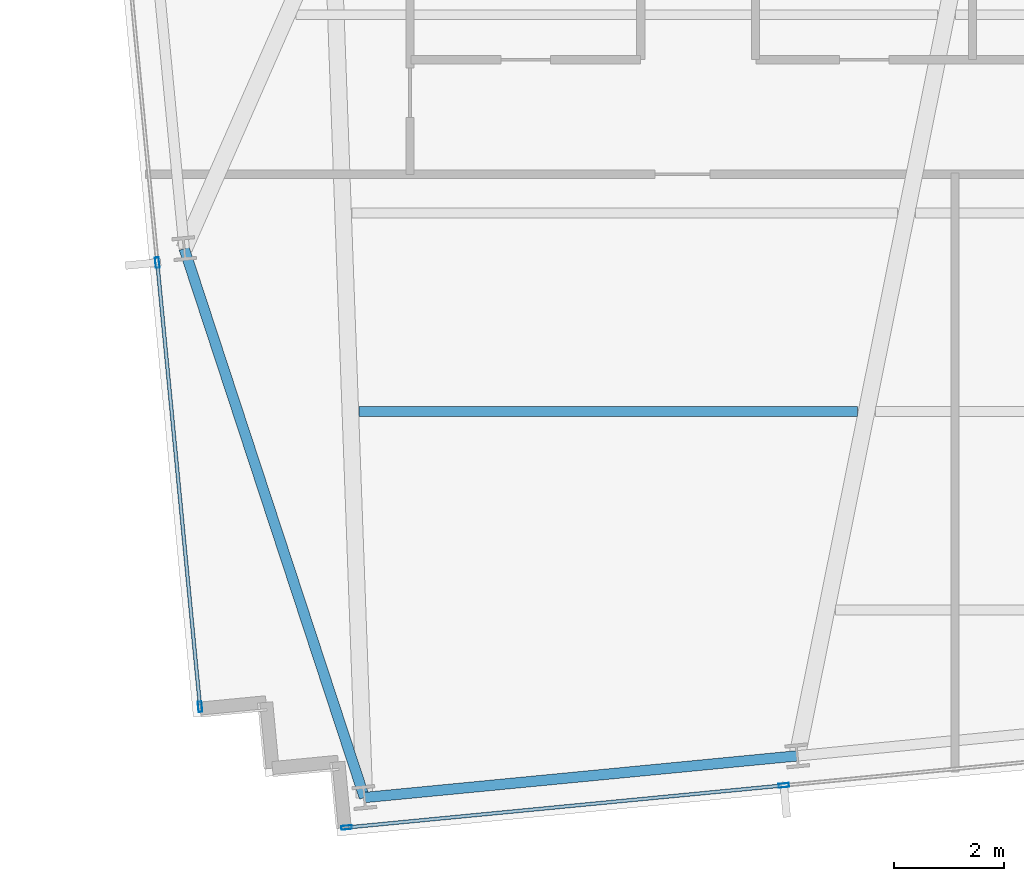
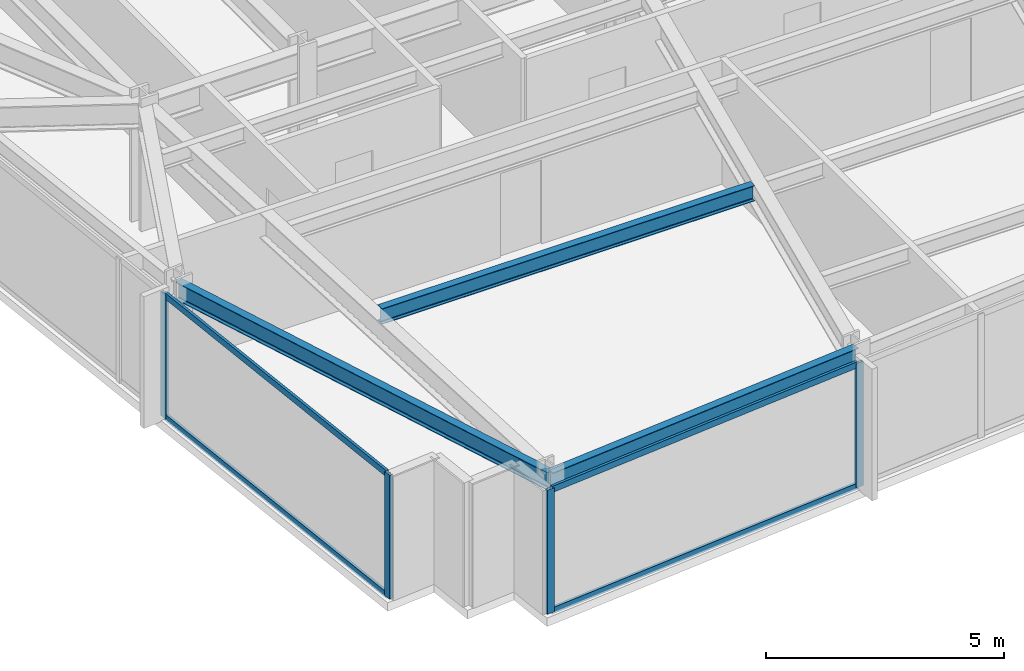
# One storey, part 2 of 33: 8 members, 3 beams, 2 elements without a shape of their own.
"""IFC4 building model written with IfcOpenShell, lengths in metres."""

import ifcopenshell
import ifcopenshell.guid

model = None  # the IFC model being written
_history = None  # IfcOwnerHistory: only IFC2X3 demands one
_inside = {}  # id of a spatial element -> (the spatial element, [elements in it])
_under = {}  # id of a project, library or spatial element -> (it, [spatial elements below it])
_declared = {}  # id of a project -> (the project, [libraries it declares])
_typed = {}  # id of a type object -> (the type object, [elements of that type])
_made_of = {}  # id of a material, layer set ... -> (it, [elements and type objects made of it])


def new_model(schema):
    """Start an empty IFC model of exactly this schema.

    Asked for "IFC4X3", IfcOpenShell would pick the latest addendum, in which some entities
    have other attributes; the version numbers below select the first issue.
    IFC2X3 requires an IfcOwnerHistory on every rooted entity: one is made here for all.
    """
    global model, _history
    if schema == "IFC4X3":
        model = ifcopenshell.file(schema_version=(4, 3, 0, 0))
    else:
        model = ifcopenshell.file(schema=schema)
    _inside.clear()
    _under.clear()
    _declared.clear()
    _typed.clear()
    _made_of.clear()
    _history = None
    if model.schema == "IFC2X3":
        org = make("IfcOrganization", Name="unknown")
        user = make(
            "IfcPersonAndOrganization",
            ThePerson=make("IfcPerson", FamilyName="unknown"),
            TheOrganization=org,
        )
        app = make(
            "IfcApplication",
            ApplicationDeveloper=org,
            Version="unknown",
            ApplicationFullName="unknown",
            ApplicationIdentifier="unknown",
        )
        _history = make(
            "IfcOwnerHistory",
            OwningUser=user,
            OwningApplication=app,
            ChangeAction="ADDED",
            CreationDate=0,
        )
    return model


def make(cls, **values):
    """One entity of the class cls with the attributes given. An attribute that is None is left unset."""
    return model.create_entity(
        cls, **{name: value for name, value in values.items() if value is not None}
    )


def rooted(cls, **values):
    """An entity with a GlobalId (a new one), such as an element, a storey or a relation."""
    return make(cls, GlobalId=ifcopenshell.guid.new(), OwnerHistory=_history, **values)


def si_unit(unit_type, name, prefix=None):
    """IfcSIUnit, for example si_unit("LENGTHUNIT", "METRE", prefix="MILLI")."""
    return make("IfcSIUnit", UnitType=unit_type, Prefix=prefix, Name=name)


def assignment(units):
    """IfcUnitAssignment: the units of a project."""
    return None if units is None else make("IfcUnitAssignment", Units=units)


def point(xyz):
    """IfcCartesianPoint."""
    return None if xyz is None else make("IfcCartesianPoint", Coordinates=xyz)


def direction(xyz):
    """IfcDirection."""
    return None if xyz is None else make("IfcDirection", DirectionRatios=xyz)


def frame(location, z_axis=None, x_axis=None):
    """IfcAxis2Placement3D, a coordinate frame: its origin and axes. An axis left out is left unset."""
    return make(
        "IfcAxis2Placement3D",
        Location=point(location),
        Axis=direction(z_axis),
        RefDirection=direction(x_axis),
    )


def frame_2d(location, x_axis=None):
    """IfcAxis2Placement2D, a coordinate frame in the plane: its origin and x axis."""
    return make(
        "IfcAxis2Placement2D", Location=point(location), RefDirection=direction(x_axis)
    )


def origin():
    """The frame at (0, 0, 0) with its axes left unset."""
    return frame((0.0, 0.0, 0.0))


def origin_2d():
    """The frame at (0, 0) in the plane with its x axis left unset."""
    return frame_2d((0.0, 0.0))


def place(relative_to, where):
    """IfcLocalPlacement: puts the frame where relative to a parent placement (None: the world)."""
    return make(
        "IfcLocalPlacement", PlacementRelTo=relative_to, RelativePlacement=where
    )


def context(
    kind, dimensions, precision=None, world=None, true_north=None, identifier=None
):
    """IfcGeometricRepresentationContext, for example the 3D "Model" context."""
    return make(
        "IfcGeometricRepresentationContext",
        ContextIdentifier=identifier,
        ContextType=kind,
        CoordinateSpaceDimension=dimensions,
        Precision=precision,
        WorldCoordinateSystem=world,
        TrueNorth=true_north,
    )


def subcontext(parent, identifier, kind, view, scale=None):
    """IfcGeometricRepresentationSubContext, for example "Body" below "Model"."""
    return make(
        "IfcGeometricRepresentationSubContext",
        ContextIdentifier=identifier,
        ContextType=kind,
        ParentContext=parent,
        TargetScale=scale,
        TargetView=view,
    )


def project(units=None, contexts=None):
    """IfcProject with its units and contexts."""
    return rooted(
        "IfcProject",
        Name="project",
        RepresentationContexts=contexts,
        UnitsInContext=assignment(units),
    )


def spatial(cls, under=None, at=None, **own):
    """A site, building, storey or space (cls), placed at a placement, below another one or the project."""
    s = rooted(cls, ObjectPlacement=at, **own)
    if under is not None:
        _under.setdefault(under.id(), (under, []))[1].append(s)
    return s


def profile(cls, at=None, kind="AREA", **sizes):
    """A parametric profile (cls). Its sizes go by their IFC names, for example OverallWidth=200.0."""
    return make(cls, ProfileType=kind, Position=at, **sizes)


def hollow_rectangle(**sizes):
    """IfcRectangleHollowProfileDef."""
    return profile("IfcRectangleHollowProfileDef", **sizes)


def i_section(**sizes):
    """IfcIShapeProfileDef."""
    return profile("IfcIShapeProfileDef", **sizes)


def extrude(swept, where, along, depth):
    """IfcExtrudedAreaSolid: the profile swept, set in the frame where, extruded along a direction by depth."""
    return make(
        "IfcExtrudedAreaSolid",
        SweptArea=swept,
        Position=where,
        ExtrudedDirection=direction(along),
        Depth=depth,
    )


def shape(context_of_items, identifier, shape_type, items):
    """IfcShapeRepresentation: the items that make up one representation, for example the "Body"."""
    return make(
        "IfcShapeRepresentation",
        ContextOfItems=context_of_items,
        RepresentationIdentifier=identifier,
        RepresentationType=shape_type,
        Items=items,
    )


def material(Name=None, Category=None):
    """IfcMaterial."""
    return make("IfcMaterial", Name=Name, Category=Category)


def material_profile(
    of_material, cross_section, Name=None, Category=None, Priority=None
):
    """IfcMaterialProfile: a cross section and its material."""
    return make(
        "IfcMaterialProfile",
        Name=Name,
        Material=of_material,
        Profile=cross_section,
        Priority=Priority,
        Category=Category,
    )


def profile_set(profiles, Name=None, composite=None):
    """IfcMaterialProfileSet."""
    return make(
        "IfcMaterialProfileSet",
        Name=Name,
        MaterialProfiles=profiles,
        CompositeProfile=composite,
    )


def made_of(thing, what):
    """Note that an element or type object is made of a material, layer set ...; save() writes the relation."""
    if what is not None:
        _made_of.setdefault(what.id(), (what, []))[1].append(thing)
    return thing


def type_object(cls, material=None, **own):
    """A type object (cls), such as IfcWallType, which elements share."""
    return made_of(rooted(cls, **own), material)


def element(
    cls,
    number,
    at=None,
    inside=None,
    cuts=None,
    type_object=None,
    material=None,
    context=None,
    identifier="Body",
    shape_type=None,
    held_by="IfcProductDefinitionShape",
    body=None,
    shapes=None,
    **own,
):
    """One element of the class cls, such as IfcWall. Its Tag is "e" and its number.

    at: its placement. inside: the storey or other place that contains it. cuts: it is an
    opening in that element (IfcRelVoidsElement). A single representation is given by context,
    identifier, shape_type and body (its items); several are given by shapes. held_by: the class
    of the entity that holds the representations. save() writes the other relations.
    """
    e = rooted(cls, Tag="e%d" % number, ObjectPlacement=at, **own)
    if body is not None:
        shapes = [shape(context, identifier, shape_type, body)]
    if shapes is not None:
        e.Representation = make(held_by, Representations=shapes)
    if inside is not None:
        _inside.setdefault(inside.id(), (inside, []))[1].append(e)
    if cuts is not None:
        rooted(
            "IfcRelVoidsElement", RelatingBuildingElement=cuts, RelatedOpeningElement=e
        )
    if type_object is not None:
        _typed.setdefault(type_object.id(), (type_object, []))[1].append(e)
    return made_of(e, material)


def aggregate(whole, parts):
    """IfcRelAggregates: a whole, such as a stair, and the parts it consists of."""
    return rooted("IfcRelAggregates", RelatingObject=whole, RelatedObjects=parts)


def save(model, path):
    """Write the relations noted so far, then the file.

    IfcRelAggregates (storeys below a building ...), IfcRelContainedInSpatialStructure (elements
    in a storey), IfcRelDefinesByType, IfcRelAssociatesMaterial and IfcRelDeclares: one each for
    every whole, place, type object, material and project.
    """
    for whole, parts in _under.values():
        aggregate(whole, parts)
    for where, things in _inside.values():
        rooted(
            "IfcRelContainedInSpatialStructure",
            RelatedElements=things,
            RelatingStructure=where,
        )
    for kind, things in _typed.values():
        rooted("IfcRelDefinesByType", RelatedObjects=things, RelatingType=kind)
    for what, things in _made_of.values():
        rooted("IfcRelAssociatesMaterial", RelatedObjects=things, RelatingMaterial=what)
    for by, libraries in _declared.values():
        rooted("IfcRelDeclares", RelatingContext=by, RelatedDefinitions=libraries)
    model.write(path)


model = new_model("IFC4")

# Units and contexts
model_context = context("Model", 3, precision=1e-05, world=origin(), true_north=direction((0.0, 1.0)))
body_context = subcontext(model_context, "Body", "Model", "MODEL_VIEW")
ifc_project = project(units=[si_unit("LENGTHUNIT", "METRE"), si_unit("AREAUNIT", "SQUARE_METRE"), si_unit("VOLUMEUNIT", "CUBIC_METRE"), si_unit("PLANEANGLEUNIT", "RADIAN"), si_unit("MASSUNIT", "GRAM", prefix="KILO")], contexts=[model_context])

# Site, building, storey
site_placement = place(None, origin())
site = spatial("IfcSite", under=ifc_project, at=site_placement, CompositionType="ELEMENT")
building_placement = place(site_placement, origin())
building = spatial("IfcBuilding", under=site, at=building_placement, Name="Yelkora Congress Tower", CompositionType="ELEMENT")
storey_placement = place(building_placement, frame((0.0, 0.0, 123.699951171875)))
storey = spatial("IfcBuildingStorey", under=building, at=storey_placement, Name="L33", CompositionType="ELEMENT", Elevation=123.699951171875)

# Beams
ifc_material_1 = material(Name="Steel S355J2", Category="steel")
ifc_material_profile_1 = material_profile(ifc_material_1, i_section(OverallWidth=0.179931640625, OverallDepth=0.39990234375, WebThickness=0.008544921875, FlangeThickness=0.013427734375, FilletRadius=0.02099609375, at=origin_2d()), Name="IPE 400")
ifc_profile_set_1 = profile_set([ifc_material_profile_1], Name="Steel S355J2")
beam_type_1 = type_object("IfcBeamType", Name="BM-JOIST-IPE400", PredefinedType="JOIST", material=ifc_profile_set_1)
beam_1_placement = place(storey_placement, frame((19.6904296875, 16.144287109375, 2.97998046875), z_axis=(1.0, 0.0, 0.0), x_axis=(0.0, 1.0, 0.0)))
element("IfcBeam", 1, at=beam_1_placement, inside=storey, type_object=beam_type_1, Name="L33 Composite Floor Joist 4", PredefinedType="JOIST", context=body_context, shape_type="SweptSolid", body=[
    extrude(i_section(OverallWidth=0.179931640625, OverallDepth=0.39990234375, WebThickness=0.008544921875, FlangeThickness=0.013427734375, FilletRadius=0.02099609375, at=origin_2d()), origin(), (0.0, 0.0, 1.0), 9.0439453125),
])
ifc_material_profile_2 = material_profile(ifc_material_1, i_section(OverallWidth=0.18994140625, OverallDepth=0.449951171875, WebThickness=0.009521484375, FlangeThickness=0.0146484375, FilletRadius=0.02099609375, at=origin_2d()), Name="IPE 450")
ifc_profile_set_2 = profile_set([ifc_material_profile_2], Name="Steel S355J2")
beam_type_2 = type_object("IfcBeamType", Name="BM-SPAN-IPE450", PredefinedType="SPANDREL", material=ifc_profile_set_2)
beam_2_placement = place(storey_placement, frame((16.5166015625, 19.101806640625, 2.955078125), z_axis=(0.311940628701, -0.95010159676, 0.0), x_axis=(0.95010159676, 0.311940628701, 0.0)))
element("IfcBeam", 2, at=beam_2_placement, inside=storey, type_object=beam_type_2, Name="L33 Perimeter Beam 2", PredefinedType="SPANDREL", context=body_context, shape_type="SweptSolid", body=[
    extrude(i_section(OverallWidth=0.18994140625, OverallDepth=0.449951171875, WebThickness=0.009521484375, FlangeThickness=0.0146484375, FilletRadius=0.02099609375, at=origin_2d()), origin(), (0.0, 0.0, 1.0), 10.48046875),
])
beam_3_placement = place(storey_placement, frame((19.785888671875, 9.144287109375, 2.955078125), z_axis=(0.995395860104, 0.095849265454, 0.0), x_axis=(-0.095849265454, 0.995395860104, 0.0)))
element("IfcBeam", 3, at=beam_3_placement, inside=storey, type_object=beam_type_2, Name="L33 Perimeter Beam 3", PredefinedType="SPANDREL", context=body_context, shape_type="SweptSolid", body=[
    extrude(i_section(OverallWidth=0.18994140625, OverallDepth=0.449951171875, WebThickness=0.009521484375, FlangeThickness=0.0146484375, FilletRadius=0.02099609375, at=origin_2d()), origin(), (0.0, 0.0, 1.0), 7.885986328125),
])

# Curtain wall, members
ifc_material_2 = material(Name="Anodised aluminium and insulated glass", Category="aluminium")
curtain_wall_type = type_object("IfcCurtainWallType", Name="CW-SYS-B2", PredefinedType="NOTDEFINED", material=ifc_material_2)
curtain_wall_1_placement = place(storey_placement, origin())
curtain_wall_1 = element("IfcCurtainWall", 4, at=curtain_wall_1_placement, inside=storey, type_object=curtain_wall_type, Name="L33 Unitised Curtain Wall 5", PredefinedType="NOTDEFINED")
ifc_material_3 = material(Name="Anodised aluminium 6063-T6", Category="aluminium")
ifc_material_profile_3 = material_profile(ifc_material_3, hollow_rectangle(XDim=0.070068359375, YDim=0.18994140625, WallThickness=0.00390625, at=origin_2d()), Name="ALU 70x190x4")
ifc_profile_set_3 = profile_set([ifc_material_profile_3], Name="Anodised aluminium 6063-T6")
member_type_1 = type_object("IfcMemberType", Name="MEM-ML-B2", PredefinedType="MULLION", material=ifc_profile_set_3)
member_1_placement = place(storey_placement, frame((16.804443359375, 10.791259765625, 0.0), z_axis=(0.0, 0.0, 1.0), x_axis=(-0.995396507508, -0.095842541913, 0.0)))
member_1 = element("IfcMember", 5, at=member_1_placement, type_object=member_type_1, Name="CW-B2 mullion 1", PredefinedType="MULLION", context=body_context, shape_type="SweptSolid", body=[
    extrude(hollow_rectangle(XDim=0.070068359375, YDim=0.18994140625, WallThickness=0.00390625, at=origin_2d()), origin(), (0.0, 0.0, 1.0), 3.179931640625),
])
member_2_placement = place(storey_placement, frame((16.028564453125, 18.848876953125, 0.0), z_axis=(0.0, 0.0, 1.0), x_axis=(-0.995396507508, -0.095842541913, 0.0)))
member_2 = element("IfcMember", 6, at=member_2_placement, type_object=member_type_1, Name="CW-B2 mullion 2", PredefinedType="MULLION", context=body_context, shape_type="SweptSolid", body=[
    extrude(hollow_rectangle(XDim=0.070068359375, YDim=0.18994140625, WallThickness=0.00390625, at=origin_2d()), origin(), (0.0, 0.0, 1.0), 3.179931640625),
])

curtain_wall_2_placement = place(storey_placement, origin())
curtain_wall_2 = element("IfcCurtainWall", 7, at=curtain_wall_2_placement, inside=storey, type_object=curtain_wall_type, Name="L33 Unitised Curtain Wall 20", PredefinedType="NOTDEFINED")
member_3_placement = place(storey_placement, frame((27.392822265625, 9.364501953125, 0.0), z_axis=(0.0, 0.0, 1.0), x_axis=(0.095844345816, -0.995396333816, 0.0)))
member_3 = element("IfcMember", 8, at=member_3_placement, type_object=member_type_1, Name="CW-B2 mullion 7", PredefinedType="MULLION", context=body_context, shape_type="SweptSolid", body=[
    extrude(hollow_rectangle(XDim=0.070068359375, YDim=0.18994140625, WallThickness=0.00390625, at=origin_2d()), origin(), (0.0, 0.0, 1.0), 3.179931640625),
])
member_4_placement = place(storey_placement, frame((19.46142578125, 8.600830078125, 0.0), z_axis=(0.0, 0.0, 1.0), x_axis=(0.095844345816, -0.995396333816, 0.0)))
member_4 = element("IfcMember", 9, at=member_4_placement, type_object=member_type_1, Name="CW-B2 mullion 8", PredefinedType="MULLION", context=body_context, shape_type="SweptSolid", body=[
    extrude(hollow_rectangle(XDim=0.070068359375, YDim=0.18994140625, WallThickness=0.00390625, at=origin_2d()), origin(), (0.0, 0.0, 1.0), 3.179931640625),
])

# Member
ifc_material_profile_4 = material_profile(ifc_material_3, hollow_rectangle(XDim=0.06494140625, YDim=0.159912109375, WallThickness=0.00390625, at=origin_2d()), Name="ALU 65x160x4")
ifc_profile_set_4 = profile_set([ifc_material_profile_4], Name="Anodised aluminium 6063-T6")
member_type_2 = type_object("IfcMemberType", Name="MEM-TR-B2", PredefinedType="USERDEFINED", material=ifc_profile_set_4)
member_5_placement = place(storey_placement, frame((16.801025390625, 10.826171875, 0.032470703125), z_axis=(-0.095861385662, 0.995394692943, 0.0), x_axis=(-0.995394692943, -0.095861385662, 0.0)))
member_5 = element("IfcMember", 10, at=member_5_placement, type_object=member_type_2, Name="CW-B2 transom 1.1", ObjectType="TRANSOM", PredefinedType="USERDEFINED", context=body_context, shape_type="SweptSolid", body=[
    extrude(hollow_rectangle(XDim=0.06494140625, YDim=0.159912109375, WallThickness=0.00390625, at=origin_2d()), origin(), (0.0, 0.0, 1.0), 8.02490234375),
])

member_6_placement = place(storey_placement, frame((16.801025390625, 10.826171875, 3.1474609375), z_axis=(-0.095861385662, 0.995394692943, 0.0), x_axis=(-0.995394692943, -0.095861385662, 0.0)))
member_6 = element("IfcMember", 11, at=member_6_placement, type_object=member_type_2, Name="CW-B2 transom 1.2", ObjectType="TRANSOM", PredefinedType="USERDEFINED", context=body_context, shape_type="SweptSolid", body=[
    extrude(hollow_rectangle(XDim=0.06494140625, YDim=0.159912109375, WallThickness=0.00390625, at=origin_2d()), origin(), (0.0, 0.0, 1.0), 8.02490234375),
])

aggregate(curtain_wall_1, [member_1, member_2, member_5, member_6])

member_7_placement = place(storey_placement, frame((27.35791015625, 9.361083984375, 0.032470703125), z_axis=(-0.995397978421, -0.095827264157, 0.0), x_axis=(0.095827264157, -0.995397978421, 0.0)))
member_7 = element("IfcMember", 12, at=member_7_placement, type_object=member_type_2, Name="CW-B2 transom 7.1", ObjectType="TRANSOM", PredefinedType="USERDEFINED", context=body_context, shape_type="SweptSolid", body=[
    extrude(hollow_rectangle(XDim=0.06494140625, YDim=0.159912109375, WallThickness=0.00390625, at=origin_2d()), origin(), (0.0, 0.0, 1.0), 7.89794921875),
])

member_8_placement = place(storey_placement, frame((27.35791015625, 9.361083984375, 3.1474609375), z_axis=(-0.995397978421, -0.095827264157, 0.0), x_axis=(0.095827264157, -0.995397978421, 0.0)))
member_8 = element("IfcMember", 13, at=member_8_placement, type_object=member_type_2, Name="CW-B2 transom 7.2", ObjectType="TRANSOM", PredefinedType="USERDEFINED", context=body_context, shape_type="SweptSolid", body=[
    extrude(hollow_rectangle(XDim=0.06494140625, YDim=0.159912109375, WallThickness=0.00390625, at=origin_2d()), origin(), (0.0, 0.0, 1.0), 7.89794921875),
])

aggregate(curtain_wall_2, [member_3, member_4, member_7, member_8])

save(model, "model.ifc")
